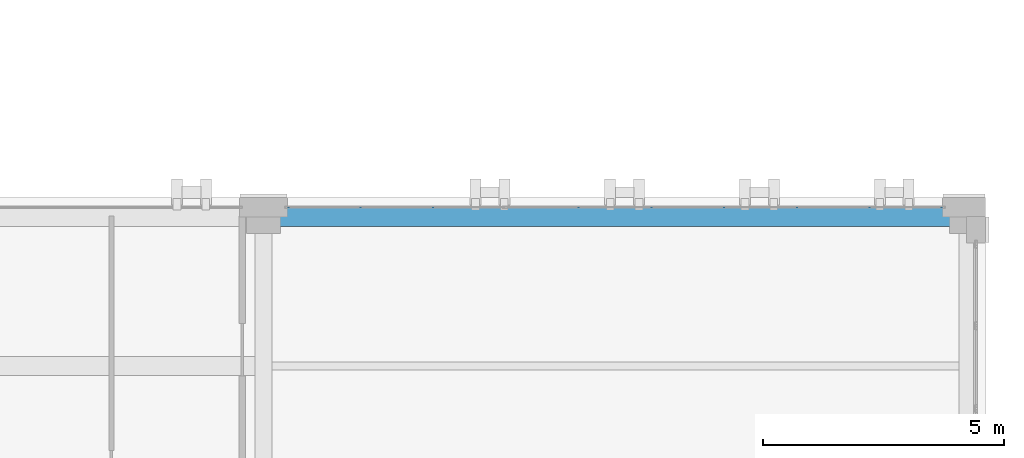
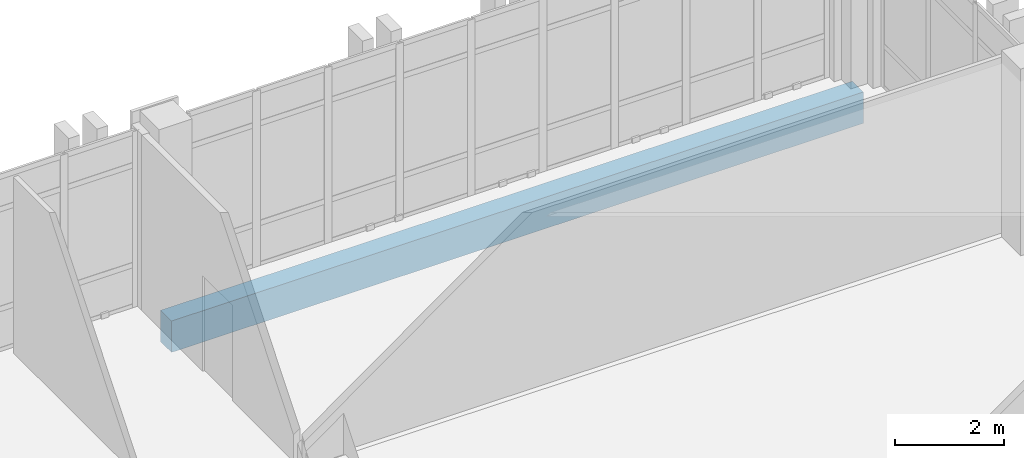
# One storey, part 107 of 158: 1 beam.
"""IFC4 building model written with IfcOpenShell, lengths in metres."""

from ifc_helpers import new_model, si_unit, direction, frame, origin, origin_2d, place, context, subcontext, project, spatial, rectangle, extrude, material, material_profile, profile_set, type_object, element, save


model = new_model("IFC4")

# Units and contexts
model_context = context("Model", 3, precision=1e-05, world=origin(), true_north=direction((0.0, 1.0)))
body_context = subcontext(model_context, "Body", "Model", "MODEL_VIEW")
ifc_project = project(units=[si_unit("LENGTHUNIT", "METRE"), si_unit("AREAUNIT", "SQUARE_METRE"), si_unit("VOLUMEUNIT", "CUBIC_METRE"), si_unit("PLANEANGLEUNIT", "RADIAN"), si_unit("MASSUNIT", "GRAM", prefix="KILO")], contexts=[model_context])

# Site, building, storey
site_placement = place(None, origin())
site = spatial("IfcSite", under=ifc_project, at=site_placement, CompositionType="ELEMENT")
building_placement = place(site_placement, origin())
building = spatial("IfcBuilding", under=site, at=building_placement, Name="Qalavern Law Courts", CompositionType="ELEMENT")
storey_placement = place(building_placement, frame((0.0, 0.0, 18.60009765625)))
storey = spatial("IfcBuildingStorey", under=building, at=storey_placement, Name="L04", CompositionType="ELEMENT", Elevation=18.60009765625)

# Beam
ifc_material = material(Name="Concrete C40/50", Category="concrete")
ifc_material_profile = material_profile(ifc_material, rectangle(XDim=0.39990234375, YDim=0.699951171875, at=origin_2d()), Name="RC 400x700")
ifc_profile_set = profile_set([ifc_material_profile], Name="Concrete C40/50")
beam_type = type_object("IfcBeamType", Name="STR-SP-RC400x700", PredefinedType="SPANDREL", material=ifc_profile_set)
beam_placement = place(storey_placement, frame((91.800048828125, 85.39990234375, -0.630126953125), z_axis=(1.0, 0.0, 0.0), x_axis=(0.0, 1.0, 0.0)))
element("IfcBeam", 1, at=beam_placement, inside=storey, type_object=beam_type, Name="V4 X-beam 7-2 L04", PredefinedType="SPANDREL", context=body_context, shape_type="SweptSolid", body=[
    extrude(rectangle(XDim=0.39990234375, YDim=0.699951171875, at=origin_2d()), origin(), (0.0, 0.0, 1.0), 14.599853515625),
])

save(model, "model.ifc")
